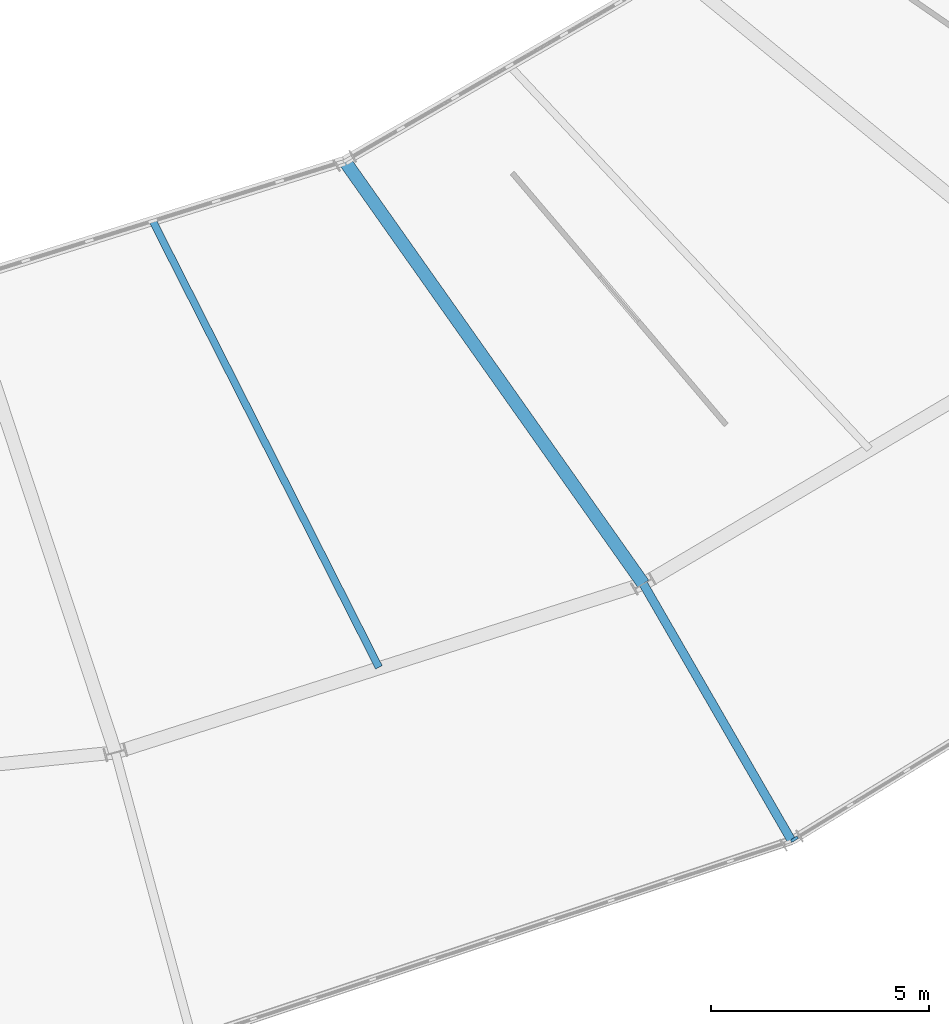
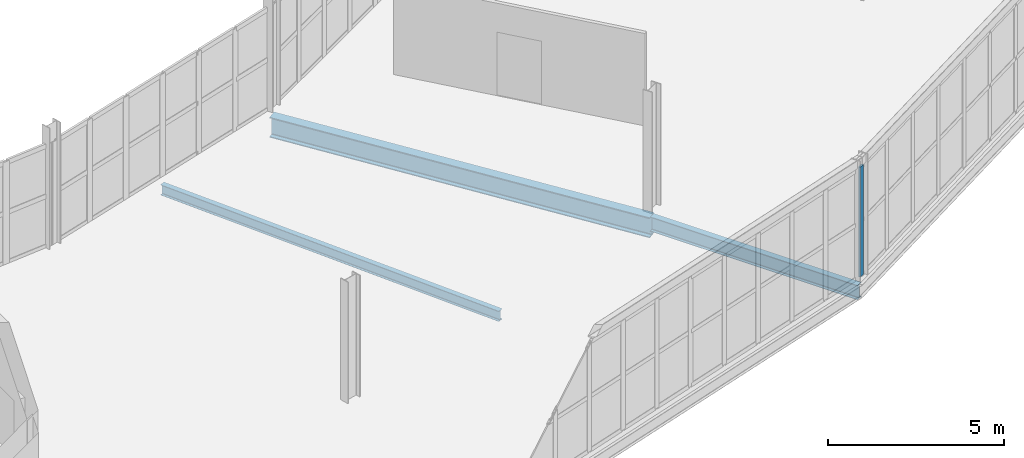
# One storey, part 47 of 161: 3 beams, 1 member, 1 element without a shape of its own.
"""IFC4 building model written with IfcOpenShell, lengths in metres."""

from ifc_helpers import new_model, si_unit, direction, frame, origin, origin_2d, place, context, subcontext, project, spatial, rectangle, i_section, extrude, material, material_profile, profile_set, type_object, element, aggregate, save


model = new_model("IFC4")

# Units and contexts
model_context = context("Model", 3, precision=1e-05, world=origin(), true_north=direction((0.0, 1.0)))
body_context = subcontext(model_context, "Body", "Model", "MODEL_VIEW")
ifc_project = project(units=[si_unit("LENGTHUNIT", "METRE"), si_unit("AREAUNIT", "SQUARE_METRE"), si_unit("VOLUMEUNIT", "CUBIC_METRE"), si_unit("PLANEANGLEUNIT", "RADIAN"), si_unit("MASSUNIT", "GRAM", prefix="KILO")], contexts=[model_context])

# Site, building, storey
site_placement = place(None, origin())
site = spatial("IfcSite", under=ifc_project, at=site_placement, CompositionType="ELEMENT")
building_placement = place(site_placement, origin())
building = spatial("IfcBuilding", under=site, at=building_placement, Name="Kildeholm Park Wholesale Market", CompositionType="ELEMENT")
storey_placement = place(building_placement, frame((0.0, 0.0, 5.39990234375)))
storey = spatial("IfcBuildingStorey", under=building, at=storey_placement, Name="L01", CompositionType="ELEMENT", Elevation=5.39990234375)

# Beams
ifc_material_1 = material(Name="Steel S355", Category="steel")
ifc_material_profile_1 = material_profile(ifc_material_1, i_section(OverallWidth=0.300048828125, OverallDepth=0.699951171875, WebThickness=0.01708984375, FlangeThickness=0.031982421875, FilletRadius=0.027099609375, at=origin_2d()), Name="HEB 700")
ifc_profile_set_1 = profile_set([ifc_material_profile_1], Name="Steel S355")
beam_type_1 = type_object("IfcBeamType", Name="Beam B-G01 HEB 700", PredefinedType="BEAM", material=ifc_profile_set_1)
beam_1_placement = place(storey_placement, frame((117.25, 65.68408203125, -0.599853515625), z_axis=(0.576894674263, -0.816818544603, 0.0), x_axis=(0.816818544603, 0.576894674263, 0.0)))
element("IfcBeam", 1, at=beam_1_placement, inside=storey, type_object=beam_type_1, Name="Beam BM-V1-L01-R1-20 BM-0181", PredefinedType="BEAM", context=body_context, shape_type="SweptSolid", body=[
    extrude(i_section(OverallWidth=0.300048828125, OverallDepth=0.699951171875, WebThickness=0.01708984375, FlangeThickness=0.031982421875, FilletRadius=0.027099609375, at=origin_2d()), origin(), (0.0, 0.0, 1.0), 11.8740234375),
])
ifc_material_profile_2 = material_profile(ifc_material_1, i_section(OverallWidth=0.199951171875, OverallDepth=0.5, WebThickness=0.01025390625, FlangeThickness=0.01611328125, FilletRadius=0.02099609375, at=origin_2d()), Name="IPE 500")
ifc_profile_set_2 = profile_set([ifc_material_profile_2], Name="Steel S355")
beam_type_2 = type_object("IfcBeamType", Name="Beam B-P03 IPE 500", PredefinedType="BEAM", material=ifc_profile_set_2)
beam_2_placement = place(storey_placement, frame((124.10009765625, 55.985107421875, -0.5), z_axis=(0.499977295307, -0.866038511948, 0.0), x_axis=(0.866038511948, 0.499977295307, 0.0)))
element("IfcBeam", 2, at=beam_2_placement, inside=storey, type_object=beam_type_2, Name="Beam BM-V1-L01-R2-20 BM-0183", PredefinedType="BEAM", context=body_context, shape_type="SweptSolid", body=[
    extrude(i_section(OverallWidth=0.199951171875, OverallDepth=0.5, WebThickness=0.01025390625, FlangeThickness=0.01611328125, FilletRadius=0.02099609375, at=origin_2d()), origin(), (0.0, 0.0, 1.0), 6.800048828125),
])
ifc_material_profile_3 = material_profile(ifc_material_1, i_section(OverallWidth=0.169921875, OverallDepth=0.360107421875, WebThickness=0.008056640625, FlangeThickness=0.0126953125, FilletRadius=0.01806640625, at=origin_2d()), Name="IPE 360")
ifc_profile_set_3 = profile_set([ifc_material_profile_3], Name="Steel S355")
beam_type_3 = type_object("IfcBeamType", Name="Beam J-04 IPE 360", PredefinedType="JOIST", material=ifc_profile_set_3)
beam_3_placement = place(storey_placement, frame((112.857421875, 64.292724609375, -0.429931640625), z_axis=(0.452004571782, -0.892015620428, 0.0), x_axis=(0.892015620428, 0.452004571782, 0.0)))
element("IfcBeam", 3, at=beam_3_placement, inside=storey, type_object=beam_type_3, Name="Beam JT-V1-L01-19 BM-0180", PredefinedType="JOIST", context=body_context, shape_type="SweptSolid", body=[
    extrude(i_section(OverallWidth=0.169921875, OverallDepth=0.360107421875, WebThickness=0.008056640625, FlangeThickness=0.0126953125, FilletRadius=0.01806640625, at=origin_2d()), origin(), (0.0, 0.0, 1.0), 11.46044921875),
])

# Curtain wall, member
ifc_material_2 = material(Name="Anodised aluminium and low-E double-glazed glass", Category="aluminium")
curtain_wall_type = type_object("IfcCurtainWallType", Name="Market hall glazed arcade stick curtain wall CW-01", PredefinedType="NOTDEFINED", material=ifc_material_2)
curtain_wall_placement = place(storey_placement, origin())
curtain_wall = element("IfcCurtainWall", 4, at=curtain_wall_placement, inside=storey, type_object=curtain_wall_type, Name="Curtain wall CW-V1-OT-20-1 CW-0099", PredefinedType="NOTDEFINED")
ifc_material_3 = material(Name="Anodised aluminium", Category="aluminium")
ifc_material_profile_4 = material_profile(ifc_material_3, rectangle(XDim=0.06494140625, YDim=0.179931640625, at=origin_2d()), Name="CWM 65x180")
ifc_profile_set_4 = profile_set([ifc_material_profile_4], Name="Anodised aluminium")
member_type = type_object("IfcMemberType", Name="Curtain-wall mullion CWM-1 CWM 65x180", PredefinedType="MULLION", material=ifc_profile_set_4)
member_placement = place(storey_placement, frame((127.564697265625, 50.1298828125, 0.0), z_axis=(0.0, 0.0, 1.0), x_axis=(-0.522284342695, 0.852771402766, 0.0)))
member = element("IfcMember", 5, at=member_placement, type_object=member_type, Name="CW-01 mullion 1 MEM-3124", PredefinedType="MULLION", context=body_context, shape_type="SweptSolid", body=[
    extrude(rectangle(XDim=0.06494140625, YDim=0.179931640625, at=origin_2d()), origin(), (0.0, 0.0, 1.0), 3.800048828125),
])
aggregate(curtain_wall, [member])

save(model, "model.ifc")
